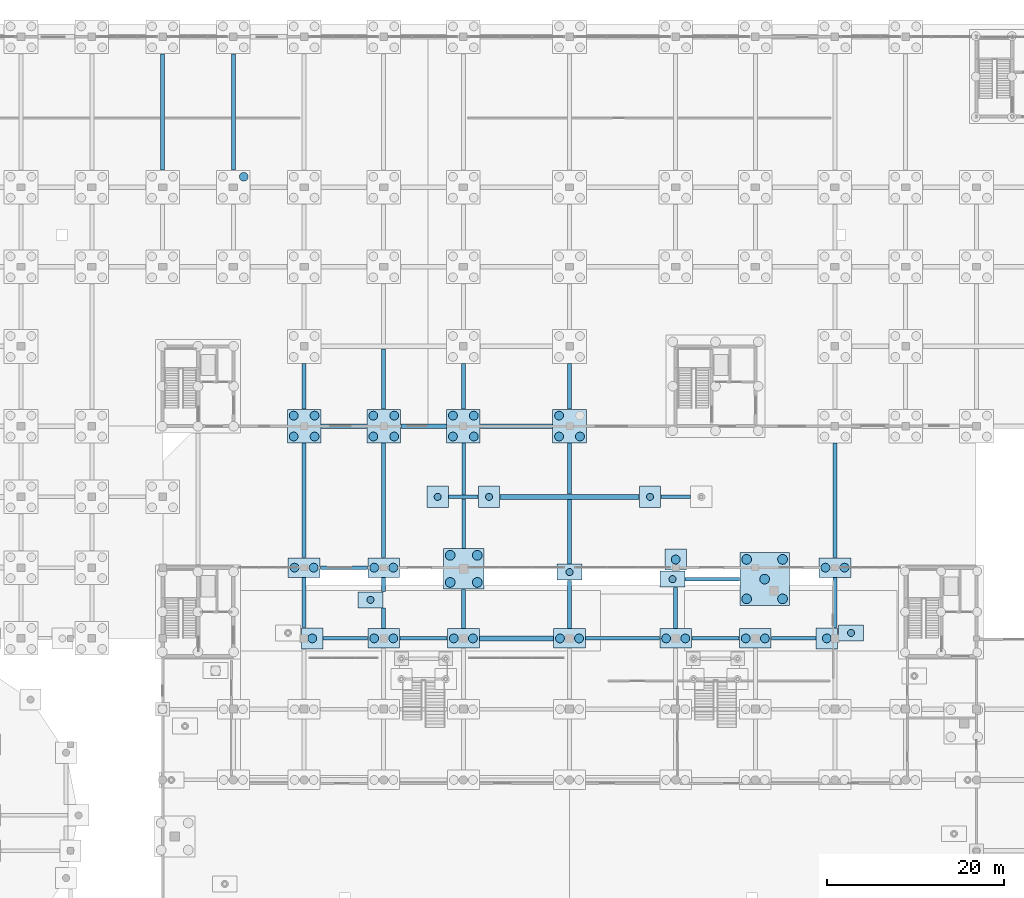
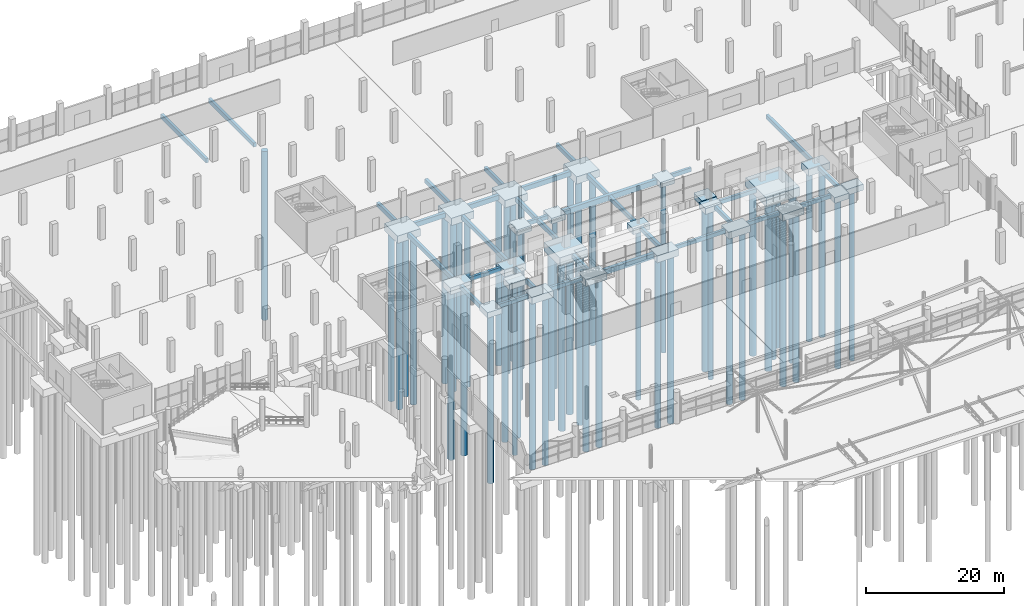
# One storey, part 5 of 98: 58 footings, 51 piles.
"""IFC4 building model written with IfcOpenShell, lengths in metres."""

from ifc_helpers import new_model, si_unit, derived_unit, direction, frame, origin, origin_2d, place, context, subcontext, project, spatial, rectangle, circle, extrude, material, layer, layer_set, material_profile, profile_set, type_object, element, save


model = new_model("IFC4")

# Units and contexts
model_context = context("Model", 3, precision=1e-05, world=origin(), true_north=direction((0.0, 1.0)))
body_context = subcontext(model_context, "Body", "Model", "MODEL_VIEW")
ifc_project = project(units=[si_unit("LENGTHUNIT", "METRE"), si_unit("AREAUNIT", "SQUARE_METRE"), si_unit("VOLUMEUNIT", "CUBIC_METRE"), si_unit("PLANEANGLEUNIT", "RADIAN"), si_unit("MASSUNIT", "GRAM", prefix="KILO"), si_unit("THERMODYNAMICTEMPERATUREUNIT", "KELVIN"), derived_unit("THERMALTRANSMITTANCEUNIT", [(si_unit("POWERUNIT", "WATT"), 1), (si_unit("AREAUNIT", "SQUARE_METRE"), -1), (si_unit("THERMODYNAMICTEMPERATUREUNIT", "KELVIN"), -1)])], contexts=[model_context])

# Site, building, storey
site_placement = place(None, origin())
site = spatial("IfcSite", under=ifc_project, at=site_placement, CompositionType="ELEMENT")
building_placement = place(site_placement, origin())
building = spatial("IfcBuilding", under=site, at=building_placement, Name="Haiyu Intermodal Mobility Hub", CompositionType="ELEMENT")
storey_placement = place(building_placement, origin())
storey = spatial("IfcBuildingStorey", under=building, at=storey_placement, Name="L00", CompositionType="ELEMENT", Elevation=0.0)

# Footings
ifc_material = material(Name="Concrete C40", Category="concrete")
ifc_layer_1 = layer(ifc_material, 1.5)
ifc_layer_set_1 = layer_set([ifc_layer_1], Name="Concrete C40")
footing_type_1 = type_object("IfcFootingType", Name="CAP-PC01", PredefinedType="PILE_CAP", material=ifc_layer_set_1)
footing_1_placement = place(storey_placement, frame((96.04296875, 87.85791015625, -2.39990234375), z_axis=(0.0, 0.0, 1.0), x_axis=(1.0, 0.0, 0.0)))
element("IfcFooting", 1, at=footing_1_placement, inside=storey, type_object=footing_type_1, Name="Pile Cap CAP-MP-03", PredefinedType="PILE_CAP", context=body_context, shape_type="SweptSolid", body=[
    extrude(rectangle(XDim=4.60009765625, YDim=4.60009765625, at=origin_2d()), origin(), (0.0, 0.0, 1.0), 1.5),
])
ifc_layer_2 = layer(ifc_material, 1.300048828125)
ifc_layer_set_2 = layer_set([ifc_layer_2], Name="Concrete C40")
footing_type_2 = type_object("IfcFootingType", Name="CAP-PC03", PredefinedType="PILE_CAP", material=ifc_layer_set_2)
for number, where, z_axis, x_axis, name in (
    (2, (78.0, 104.0, -2.2001953125), (0.0, 0.0, 1.0), (1.0, 0.0, 0.0), "Pile Cap CAP-V4-9M"),
    (3, (87.0, 104.0, -2.2001953125), (0.0, 0.0, 1.0), (1.0, 0.0, 0.0), "Pile Cap CAP-V4-10M"),
    (4, (96.0, 104.0, -2.2001953125), (0.0, 0.0, 1.0), (1.0, 0.0, 0.0), "Pile Cap CAP-V4-11M"),
    (5, (108.0, 104.0, -2.2001953125), (0.0, 0.0, 1.0), (1.0, 0.0, 0.0), "Pile Cap CAP-V4-12M"),
):
    element("IfcFooting", number, at=place(storey_placement, frame(where, z_axis=z_axis, x_axis=x_axis)), inside=storey, type_object=footing_type_2, Name=name, PredefinedType="PILE_CAP", context=body_context, shape_type="SweptSolid", body=[
        extrude(rectangle(XDim=3.800048828125, YDim=3.800048828125, at=origin_2d()), origin(), (0.0, 0.0, 1.0), 1.300048828125),
    ])
ifc_layer_3 = layer(ifc_material, 1.199951171875)
ifc_layer_set_3 = layer_set([ifc_layer_3], Name="Concrete C40")
footing_type_3 = type_object("IfcFootingType", Name="CAP-PC04", PredefinedType="PILE_CAP", material=ifc_layer_set_3)
for number, where, z_axis, x_axis, name in (
    (6, (78.0, 88.0, -2.10009765625), (0.0, 0.0, 1.0), (1.0, 0.0, 0.0), "Pile Cap CAP-V1-9K"),
    (7, (87.0, 80.0, -2.10009765625), (0.0, 0.0, 1.0), (1.0, 0.0, 0.0), "Pile Cap CAP-V1-10J"),
    (8, (87.0, 88.0, -2.10009765625), (0.0, 0.0, 1.0), (1.0, 0.0, 0.0), "Pile Cap CAP-V1-10K"),
    (9, (96.0, 80.0, -2.10009765625), (0.0, 0.0, 1.0), (1.0, 0.0, 0.0), "Pile Cap CAP-V1-11J"),
    (10, (108.0, 80.0, -2.10009765625), (0.0, 0.0, 1.0), (1.0, 0.0, 0.0), "Pile Cap CAP-V1-12J"),
    (11, (120.0, 80.0, -2.10009765625), (0.0, 0.0, 1.0), (1.0, 0.0, 0.0), "Pile Cap CAP-V1-13J"),
    (12, (129.0, 80.0, -2.10009765625), (0.0, 0.0, 1.0), (1.0, 0.0, 0.0), "Pile Cap CAP-V1-14J"),
    (13, (138.0, 88.0, -2.10009765625), (0.0, 0.0, 1.0), (1.0, 0.0, 0.0), "Pile Cap CAP-V1-15K"),
):
    element("IfcFooting", number, at=place(storey_placement, frame(where, z_axis=z_axis, x_axis=x_axis)), inside=storey, type_object=footing_type_3, Name=name, PredefinedType="PILE_CAP", context=body_context, shape_type="SweptSolid", body=[
        extrude(rectangle(XDim=3.60009765625, YDim=2.199951171875, at=origin_2d()), origin(), (0.0, 0.0, 1.0), 1.199951171875),
    ])
ifc_layer_4 = layer(ifc_material, 1.050048828125)
ifc_layer_set_4 = layer_set([ifc_layer_4], Name="Concrete C40")
footing_type_4 = type_object("IfcFootingType", Name="CAP-PC07", PredefinedType="PILE_CAP", material=ifc_layer_set_4)
for number, where, z_axis, x_axis, name in (
    (14, (139.820068359375, 80.616943359375, -1.9501953125), (0.0, 0.0, 1.0), (1.0, 0.0, 0.0), "Pile Cap CAP-RCOL-04"),
    (15, (119.64697265625, 86.698974609375, -1.9501953125), (0.0, 0.0, 1.0), (1.0, 0.0, 0.0), "Pile Cap CAP-RCOL-06"),
    (16, (108.0, 87.5, -1.9501953125), (0.0, 0.0, 1.0), (1.0, 0.0, 0.0), "Pile Cap CAP-RCOL-07"),
    (17, (85.5, 84.35205078125, -1.9501953125), (0.0, 0.0, 1.0), (1.0, 0.0, 0.0), "Pile Cap CAP-RCOL-09"),
):
    element("IfcFooting", number, at=place(storey_placement, frame(where, z_axis=z_axis, x_axis=x_axis)), inside=storey, type_object=footing_type_4, Name=name, PredefinedType="PILE_CAP", context=body_context, shape_type="SweptSolid", body=[
        extrude(rectangle(XDim=2.800048828125, YDim=1.800048828125, at=origin_2d()), origin(), (0.0, 0.0, 1.0), 1.050048828125),
    ])
ifc_layer_5 = layer(ifc_material, 1.0)
ifc_layer_set_5 = layer_set([ifc_layer_5], Name="Concrete C40")
footing_type_5 = type_object("IfcFootingType", Name="CAP-PC10", PredefinedType="PILE_CAP", material=ifc_layer_set_5)
for number, where, z_axis, x_axis, name in (
    (18, (78.919921875, 80.0, -1.89990234375), (0.0, 0.0, 1.0), (1.0, 0.0, 0.0), "Pile Cap CAP-V1-9J"),
    (19, (120.0, 88.919921875, -1.89990234375), (0.0, 0.0, 1.0), (1.0, 0.0, 0.0), "Pile Cap CAP-V1-13K"),
    (20, (137.080078125, 80.0, -1.89990234375), (0.0, 0.0, 1.0), (1.0, 0.0, 0.0), "Pile Cap CAP-V1-15J"),
    (21, (93.10009765625, 96.0, -1.89990234375), (0.0, 0.0, 1.0), (1.0, 0.0, 0.0), "Pile Cap CAP-BRG-BWW"),
    (22, (98.89990234375, 96.0, -1.89990234375), (0.0, 0.0, 1.0), (1.0, 0.0, 0.0), "Pile Cap CAP-BRG-BWE"),
    (23, (117.10009765625, 96.0, -1.89990234375), (0.0, 0.0, 1.0), (1.0, 0.0, 0.0), "Pile Cap CAP-BRG-BEW"),
):
    element("IfcFooting", number, at=place(storey_placement, frame(where, z_axis=z_axis, x_axis=x_axis)), inside=storey, type_object=footing_type_5, Name=name, PredefinedType="PILE_CAP", context=body_context, shape_type="SweptSolid", body=[
        extrude(rectangle(XDim=2.39990234375, YDim=2.39990234375, at=origin_2d()), origin(), (0.0, 0.0, 1.0), 1.0),
    ])
ifc_layer_6 = layer(ifc_material, 1.550048828125)
ifc_layer_set_6 = layer_set([ifc_layer_6], Name="Concrete C40")
footing_type_6 = type_object("IfcFootingType", Name="CAP-PC18", PredefinedType="PILE_CAP", material=ifc_layer_set_6)
footing_2_placement = place(storey_placement, frame((130.050048828125, 86.699951171875, -2.4501953125), z_axis=(0.0, 0.0, 1.0), x_axis=(1.0, 0.0, 0.0)))
element("IfcFooting", 24, at=footing_2_placement, inside=storey, type_object=footing_type_6, Name="Pile Cap CAP-MP-02", PredefinedType="PILE_CAP", context=body_context, shape_type="SweptSolid", body=[
    extrude(rectangle(XDim=5.60009765625, YDim=6.0, at=origin_2d()), origin(), (0.0, 0.0, 1.0), 1.550048828125),
])
ifc_material_profile_1 = material_profile(ifc_material, rectangle(XDim=0.5, YDim=0.85009765625, at=origin_2d()), Name="FB500x850")
ifc_profile_set_1 = profile_set([ifc_material_profile_1], Name="Concrete C40")
footing_type_7 = type_object("IfcFootingType", Name="FBM-FB01", PredefinedType="FOOTING_BEAM", material=ifc_profile_set_1)
for number, where, z_axis, x_axis, name in (
    (25, (79.929931640625, 104.0, -1.324951171875), (1.0, 0.0, 0.0), (0.0, 1.0, 0.0), "Foundation Tie Beam FBM-X-144"),
    (26, (88.929931640625, 104.0, -1.324951171875), (1.0, 0.0, 0.0), (0.0, 1.0, 0.0), "Foundation Tie Beam FBM-X-145"),
):
    element("IfcFooting", number, at=place(storey_placement, frame(where, z_axis=z_axis, x_axis=x_axis)), inside=storey, type_object=footing_type_7, Name=name, PredefinedType="FOOTING_BEAM", context=body_context, shape_type="SweptSolid", body=[
        extrude(rectangle(XDim=0.5, YDim=0.85009765625, at=origin_2d()), origin(), (0.0, 0.0, 1.0), 5.14013671875),
    ])
footing_3_placement = place(storey_placement, frame((97.929931640625, 104.0, -1.324951171875), z_axis=(1.0, 0.0, 0.0), x_axis=(0.0, 1.0, 0.0)))
element("IfcFooting", 27, at=footing_3_placement, inside=storey, type_object=footing_type_7, Name="Foundation Tie Beam FBM-X-146", PredefinedType="FOOTING_BEAM", context=body_context, shape_type="SweptSolid", body=[
    extrude(rectangle(XDim=0.5, YDim=0.85009765625, at=origin_2d()), origin(), (0.0, 0.0, 1.0), 8.14013671875),
])
ifc_material_profile_2 = material_profile(ifc_material, rectangle(XDim=0.449951171875, YDim=0.75, at=origin_2d()), Name="FB450x750")
ifc_profile_set_2 = profile_set([ifc_material_profile_2], Name="Concrete C40")
footing_type_8 = type_object("IfcFootingType", Name="FBM-FB02", PredefinedType="FOOTING_BEAM", material=ifc_profile_set_2)
for number, where, z_axis, x_axis, name in (
    (28, (62.0, 132.929931640625, -1.27490234375), (0.0, 1.0, 0.0), (-1.0, 0.0, 0.0), "Foundation Tie Beam FBM-Y-275"),
    (29, (70.0, 132.929931640625, -1.27490234375), (0.0, 1.0, 0.0), (-1.0, 0.0, 0.0), "Foundation Tie Beam FBM-Y-279"),
):
    element("IfcFooting", number, at=place(storey_placement, frame(where, z_axis=z_axis, x_axis=x_axis)), inside=storey, type_object=footing_type_8, Name=name, PredefinedType="FOOTING_BEAM", context=body_context, shape_type="SweptSolid", body=[
        extrude(rectangle(XDim=0.449951171875, YDim=0.75, at=origin_2d()), origin(), (0.0, 0.0, 1.0), 13.14013671875),
    ])
footing_4_placement = place(storey_placement, frame((78.0, 81.22998046875, -1.27490234375), z_axis=(0.0, 1.0, 0.0), x_axis=(-1.0, 0.0, 0.0)))
element("IfcFooting", 30, at=footing_4_placement, inside=storey, type_object=footing_type_8, Name="Foundation Tie Beam FBM-Y-284", PredefinedType="FOOTING_BEAM", context=body_context, shape_type="SweptSolid", body=[
    extrude(rectangle(XDim=0.449951171875, YDim=0.75, at=origin_2d()), origin(), (0.0, 0.0, 1.0), 5.64013671875),
])
footing_5_placement = place(storey_placement, frame((78.0, 89.1298828125, -1.27490234375), z_axis=(0.0, 1.0, 0.0), x_axis=(-1.0, 0.0, 0.0)))
element("IfcFooting", 31, at=footing_5_placement, inside=storey, type_object=footing_type_8, Name="Foundation Tie Beam FBM-Y-285", PredefinedType="FOOTING_BEAM", context=body_context, shape_type="SweptSolid", body=[
    extrude(rectangle(XDim=0.449951171875, YDim=0.75, at=origin_2d()), origin(), (0.0, 0.0, 1.0), 12.940185546875),
])
footing_6_placement = place(storey_placement, frame((78.0, 105.929931640625, -1.27490234375), z_axis=(0.0, 1.0, 0.0), x_axis=(-1.0, 0.0, 0.0)))
element("IfcFooting", 32, at=footing_6_placement, inside=storey, type_object=footing_type_8, Name="Foundation Tie Beam FBM-Y-286", PredefinedType="FOOTING_BEAM", context=body_context, shape_type="SweptSolid", body=[
    extrude(rectangle(XDim=0.449951171875, YDim=0.75, at=origin_2d()), origin(), (0.0, 0.0, 1.0), 5.14013671875),
])
footing_7_placement = place(storey_placement, frame((87.0, 81.1298828125, -1.27490234375), z_axis=(0.0, 1.0, 0.0), x_axis=(-1.0, 0.0, 0.0)))
element("IfcFooting", 33, at=footing_7_placement, inside=storey, type_object=footing_type_8, Name="Foundation Tie Beam FBM-Y-292", PredefinedType="FOOTING_BEAM", context=body_context, shape_type="SweptSolid", body=[
    extrude(rectangle(XDim=0.449951171875, YDim=0.75, at=origin_2d()), origin(), (0.0, 0.0, 1.0), 2.292236328125),
])
footing_8_placement = place(storey_placement, frame((87.0, 85.281982421875, -1.27490234375), z_axis=(0.0, 1.0, 0.0), x_axis=(-1.0, 0.0, 0.0)))
element("IfcFooting", 34, at=footing_8_placement, inside=storey, type_object=footing_type_8, Name="Foundation Tie Beam FBM-Y-293", PredefinedType="FOOTING_BEAM", context=body_context, shape_type="SweptSolid", body=[
    extrude(rectangle(XDim=0.449951171875, YDim=0.75, at=origin_2d()), origin(), (0.0, 0.0, 1.0), 1.588134765625),
])
footing_9_placement = place(storey_placement, frame((87.0, 89.1298828125, -1.27490234375), z_axis=(0.0, 1.0, 0.0), x_axis=(-1.0, 0.0, 0.0)))
element("IfcFooting", 35, at=footing_9_placement, inside=storey, type_object=footing_type_8, Name="Foundation Tie Beam FBM-Y-294", PredefinedType="FOOTING_BEAM", context=body_context, shape_type="SweptSolid", body=[
    extrude(rectangle(XDim=0.449951171875, YDim=0.75, at=origin_2d()), origin(), (0.0, 0.0, 1.0), 12.940185546875),
])
footing_10_placement = place(storey_placement, frame((87.0, 105.929931640625, -1.27490234375), z_axis=(0.0, 1.0, 0.0), x_axis=(-1.0, 0.0, 0.0)))
element("IfcFooting", 36, at=footing_10_placement, inside=storey, type_object=footing_type_8, Name="Foundation Tie Beam FBM-Y-295", PredefinedType="FOOTING_BEAM", context=body_context, shape_type="SweptSolid", body=[
    extrude(rectangle(XDim=0.449951171875, YDim=0.75, at=origin_2d()), origin(), (0.0, 0.0, 1.0), 6.7900390625),
])
footing_11_placement = place(storey_placement, frame((96.0, 81.1298828125, -1.27490234375), z_axis=(0.0, 1.0, 0.0), x_axis=(-1.0, 0.0, 0.0)))
element("IfcFooting", 37, at=footing_11_placement, inside=storey, type_object=footing_type_8, Name="Foundation Tie Beam FBM-Y-303", PredefinedType="FOOTING_BEAM", context=body_context, shape_type="SweptSolid", body=[
    extrude(rectangle(XDim=0.449951171875, YDim=0.75, at=origin_2d()), origin(), (0.0, 0.0, 1.0), 4.398193359375),
])
footing_12_placement = place(storey_placement, frame((96.04296875, 90.18798828125, -1.27490234375), z_axis=(0.0, 1.0, 0.0), x_axis=(-1.0, 0.0, 0.0)))
element("IfcFooting", 38, at=footing_12_placement, inside=storey, type_object=footing_type_8, Name="Foundation Tie Beam FBM-Y-304", PredefinedType="FOOTING_BEAM", context=body_context, shape_type="SweptSolid", body=[
    extrude(rectangle(XDim=0.449951171875, YDim=0.75, at=origin_2d()), origin(), (0.0, 0.0, 1.0), 5.58203125),
])
footing_13_placement = place(storey_placement, frame((96.04296875, 96.22998046875, -1.27490234375), z_axis=(0.0, 1.0, 0.0), x_axis=(-1.0, 0.0, 0.0)))
element("IfcFooting", 39, at=footing_13_placement, inside=storey, type_object=footing_type_8, Name="Foundation Tie Beam FBM-Y-305", PredefinedType="FOOTING_BEAM", context=body_context, shape_type="SweptSolid", body=[
    extrude(rectangle(XDim=0.449951171875, YDim=0.75, at=origin_2d()), origin(), (0.0, 0.0, 1.0), 5.840087890625),
])
footing_14_placement = place(storey_placement, frame((96.0, 105.929931640625, -1.27490234375), z_axis=(0.0, 1.0, 0.0), x_axis=(-1.0, 0.0, 0.0)))
element("IfcFooting", 40, at=footing_14_placement, inside=storey, type_object=footing_type_8, Name="Foundation Tie Beam FBM-Y-306", PredefinedType="FOOTING_BEAM", context=body_context, shape_type="SweptSolid", body=[
    extrude(rectangle(XDim=0.449951171875, YDim=0.75, at=origin_2d()), origin(), (0.0, 0.0, 1.0), 5.14013671875),
])
footing_15_placement = place(storey_placement, frame((108.0, 81.1298828125, -1.27490234375), z_axis=(0.0, 1.0, 0.0), x_axis=(-1.0, 0.0, 0.0)))
element("IfcFooting", 41, at=footing_15_placement, inside=storey, type_object=footing_type_8, Name="Foundation Tie Beam FBM-Y-312", PredefinedType="FOOTING_BEAM", context=body_context, shape_type="SweptSolid", body=[
    extrude(rectangle(XDim=0.449951171875, YDim=0.75, at=origin_2d()), origin(), (0.0, 0.0, 1.0), 5.440185546875),
])
footing_16_placement = place(storey_placement, frame((108.0, 88.429931640625, -1.27490234375), z_axis=(0.0, 1.0, 0.0), x_axis=(-1.0, 0.0, 0.0)))
element("IfcFooting", 42, at=footing_16_placement, inside=storey, type_object=footing_type_8, Name="Foundation Tie Beam FBM-Y-313", PredefinedType="FOOTING_BEAM", context=body_context, shape_type="SweptSolid", body=[
    extrude(rectangle(XDim=0.449951171875, YDim=0.75, at=origin_2d()), origin(), (0.0, 0.0, 1.0), 7.26513671875),
])
footing_17_placement = place(storey_placement, frame((108.0, 96.304931640625, -1.27490234375), z_axis=(0.0, 1.0, 0.0), x_axis=(-1.0, 0.0, 0.0)))
element("IfcFooting", 43, at=footing_17_placement, inside=storey, type_object=footing_type_8, Name="Foundation Tie Beam FBM-Y-314", PredefinedType="FOOTING_BEAM", context=body_context, shape_type="SweptSolid", body=[
    extrude(rectangle(XDim=0.449951171875, YDim=0.75, at=origin_2d()), origin(), (0.0, 0.0, 1.0), 5.76513671875),
])
footing_18_placement = place(storey_placement, frame((108.0, 105.929931640625, -1.27490234375), z_axis=(0.0, 1.0, 0.0), x_axis=(-1.0, 0.0, 0.0)))
element("IfcFooting", 44, at=footing_18_placement, inside=storey, type_object=footing_type_8, Name="Foundation Tie Beam FBM-Y-315", PredefinedType="FOOTING_BEAM", context=body_context, shape_type="SweptSolid", body=[
    extrude(rectangle(XDim=0.449951171875, YDim=0.75, at=origin_2d()), origin(), (0.0, 0.0, 1.0), 5.14013671875),
])
footing_19_placement = place(storey_placement, frame((120.0, 81.1298828125, -1.27490234375), z_axis=(0.0, 1.0, 0.0), x_axis=(-1.0, 0.0, 0.0)))
element("IfcFooting", 45, at=footing_19_placement, inside=storey, type_object=footing_type_8, Name="Foundation Tie Beam FBM-Y-323", PredefinedType="FOOTING_BEAM", context=body_context, shape_type="SweptSolid", body=[
    extrude(rectangle(XDim=0.449951171875, YDim=0.75, at=origin_2d()), origin(), (0.0, 0.0, 1.0), 4.63916015625),
])
footing_20_placement = place(storey_placement, frame((138.0, 81.22998046875, -1.27490234375), z_axis=(0.0, 1.0, 0.0), x_axis=(-1.0, 0.0, 0.0)))
element("IfcFooting", 46, at=footing_20_placement, inside=storey, type_object=footing_type_8, Name="Foundation Tie Beam FBM-Y-334", PredefinedType="FOOTING_BEAM", context=body_context, shape_type="SweptSolid", body=[
    extrude(rectangle(XDim=0.449951171875, YDim=0.75, at=origin_2d()), origin(), (0.0, 0.0, 1.0), 5.64013671875),
])
footing_21_placement = place(storey_placement, frame((138.0, 89.1298828125, -1.27490234375), z_axis=(0.0, 1.0, 0.0), x_axis=(-1.0, 0.0, 0.0)))
element("IfcFooting", 47, at=footing_21_placement, inside=storey, type_object=footing_type_8, Name="Foundation Tie Beam FBM-Y-335", PredefinedType="FOOTING_BEAM", context=body_context, shape_type="SweptSolid", body=[
    extrude(rectangle(XDim=0.449951171875, YDim=0.75, at=origin_2d()), origin(), (0.0, 0.0, 1.0), 12.940185546875),
])
ifc_material_profile_3 = material_profile(ifc_material, rectangle(XDim=0.39990234375, YDim=0.699951171875, at=origin_2d()), Name="FB400x700")
ifc_profile_set_3 = profile_set([ifc_material_profile_3], Name="Concrete C40")
footing_type_9 = type_object("IfcFootingType", Name="FBM-FB03", PredefinedType="FOOTING_BEAM", material=ifc_profile_set_3)
footing_22_placement = place(storey_placement, frame((80.14990234375, 80.0, -1.25), z_axis=(1.0, 0.0, 0.0), x_axis=(0.0, 1.0, 0.0)))
element("IfcFooting", 48, at=footing_22_placement, inside=storey, type_object=footing_type_9, Name="Foundation Tie Beam FBM-X-102", PredefinedType="FOOTING_BEAM", context=body_context, shape_type="SweptSolid", body=[
    extrude(rectangle(XDim=0.39990234375, YDim=0.699951171875, at=origin_2d()), origin(), (0.0, 0.0, 1.0), 5.02001953125),
])
footing_23_placement = place(storey_placement, frame((88.830078125, 80.0, -1.25), z_axis=(1.0, 0.0, 0.0), x_axis=(0.0, 1.0, 0.0)))
element("IfcFooting", 49, at=footing_23_placement, inside=storey, type_object=footing_type_9, Name="Foundation Tie Beam FBM-X-103", PredefinedType="FOOTING_BEAM", context=body_context, shape_type="SweptSolid", body=[
    extrude(rectangle(XDim=0.39990234375, YDim=0.699951171875, at=origin_2d()), origin(), (0.0, 0.0, 1.0), 5.33984375),
])
footing_24_placement = place(storey_placement, frame((109.830078125, 80.0, -1.25), z_axis=(1.0, 0.0, 0.0), x_axis=(0.0, 1.0, 0.0)))
element("IfcFooting", 50, at=footing_24_placement, inside=storey, type_object=footing_type_9, Name="Foundation Tie Beam FBM-X-105", PredefinedType="FOOTING_BEAM", context=body_context, shape_type="SweptSolid", body=[
    extrude(rectangle(XDim=0.39990234375, YDim=0.699951171875, at=origin_2d()), origin(), (0.0, 0.0, 1.0), 8.33984375),
])
footing_25_placement = place(storey_placement, frame((121.830078125, 80.0, -1.25), z_axis=(1.0, 0.0, 0.0), x_axis=(0.0, 1.0, 0.0)))
element("IfcFooting", 51, at=footing_25_placement, inside=storey, type_object=footing_type_9, Name="Foundation Tie Beam FBM-X-106", PredefinedType="FOOTING_BEAM", context=body_context, shape_type="SweptSolid", body=[
    extrude(rectangle(XDim=0.39990234375, YDim=0.699951171875, at=origin_2d()), origin(), (0.0, 0.0, 1.0), 5.33984375),
])
footing_26_placement = place(storey_placement, frame((130.830078125, 80.0, -1.25), z_axis=(1.0, 0.0, 0.0), x_axis=(0.0, 1.0, 0.0)))
element("IfcFooting", 52, at=footing_26_placement, inside=storey, type_object=footing_type_9, Name="Foundation Tie Beam FBM-X-107", PredefinedType="FOOTING_BEAM", context=body_context, shape_type="SweptSolid", body=[
    extrude(rectangle(XDim=0.39990234375, YDim=0.699951171875, at=origin_2d()), origin(), (0.0, 0.0, 1.0), 5.02001953125),
])
footing_27_placement = place(storey_placement, frame((121.076904296875, 86.698974609375, -1.25), z_axis=(1.0, 0.0, 0.0), x_axis=(0.0, 1.0, 0.0)))
element("IfcFooting", 53, at=footing_27_placement, inside=storey, type_object=footing_type_9, Name="Foundation Tie Beam FBM-X-114", PredefinedType="FOOTING_BEAM", context=body_context, shape_type="SweptSolid", body=[
    extrude(rectangle(XDim=0.39990234375, YDim=0.699951171875, at=origin_2d()), origin(), (0.0, 0.0, 1.0), 6.14306640625),
])
footing_28_placement = place(storey_placement, frame((79.830078125, 88.0, -1.25), z_axis=(1.0, 0.0, 0.0), x_axis=(0.0, 1.0, 0.0)))
element("IfcFooting", 54, at=footing_28_placement, inside=storey, type_object=footing_type_9, Name="Foundation Tie Beam FBM-X-118", PredefinedType="FOOTING_BEAM", context=body_context, shape_type="SweptSolid", body=[
    extrude(rectangle(XDim=0.39990234375, YDim=0.699951171875, at=origin_2d()), origin(), (0.0, 0.0, 1.0), 5.33984375),
])
for number, where, z_axis, x_axis, name in (
    (55, (94.330078125, 96.0, -1.25), (1.0, 0.0, 0.0), (0.0, 1.0, 0.0), "Foundation Tie Beam FBM-X-131"),
    (56, (118.330078125, 96.0, -1.25), (1.0, 0.0, 0.0), (0.0, 1.0, 0.0), "Foundation Tie Beam FBM-X-133"),
):
    element("IfcFooting", number, at=place(storey_placement, frame(where, z_axis=z_axis, x_axis=x_axis)), inside=storey, type_object=footing_type_9, Name=name, PredefinedType="FOOTING_BEAM", context=body_context, shape_type="SweptSolid", body=[
        extrude(rectangle(XDim=0.39990234375, YDim=0.699951171875, at=origin_2d()), origin(), (0.0, 0.0, 1.0), 3.33984375),
    ])
ifc_material_profile_4 = material_profile(ifc_material, rectangle(XDim=0.550048828125, YDim=0.949951171875, at=origin_2d()), Name="FB550x950")
ifc_profile_set_4 = profile_set([ifc_material_profile_4], Name="Concrete C40")
footing_type_10 = type_object("IfcFootingType", Name="FBM-FB04", PredefinedType="FOOTING_BEAM", material=ifc_profile_set_4)
footing_29_placement = place(storey_placement, frame((97.830078125, 80.0, -1.375), z_axis=(1.0, 0.0, 0.0), x_axis=(0.0, 1.0, 0.0)))
element("IfcFooting", 57, at=footing_29_placement, inside=storey, type_object=footing_type_10, Name="Foundation Tie Beam FBM-X-104", PredefinedType="FOOTING_BEAM", context=body_context, shape_type="SweptSolid", body=[
    extrude(rectangle(XDim=0.550048828125, YDim=0.949951171875, at=origin_2d()), origin(), (0.0, 0.0, 1.0), 8.33984375),
])
footing_30_placement = place(storey_placement, frame((100.1298828125, 96.0, -1.375), z_axis=(1.0, 0.0, 0.0), x_axis=(0.0, 1.0, 0.0)))
element("IfcFooting", 58, at=footing_30_placement, inside=storey, type_object=footing_type_10, Name="Foundation Tie Beam FBM-X-132", PredefinedType="FOOTING_BEAM", context=body_context, shape_type="SweptSolid", body=[
    extrude(rectangle(XDim=0.550048828125, YDim=0.949951171875, at=origin_2d()), origin(), (0.0, 0.0, 1.0), 15.740234375),
])

# Piles
ifc_material_profile_5 = material_profile(ifc_material, circle(Radius=0.550048828125, at=origin_2d()), Name="PILE-D1100")
ifc_profile_set_5 = profile_set([ifc_material_profile_5], Name="Concrete C40")
pile_type_1 = type_object("IfcPileType", Name="PILE-PL01", PredefinedType="BORED", material=ifc_profile_set_5)
for number, where, z_axis, x_axis, name in (
    (59, (128.02001953125, 84.469970703125, -2.35009765625), (0.0, 0.0, -1.0), (1.0, 0.0, 0.0), "Bored Pile CAP-MP-02-P1"),
    (60, (132.080078125, 84.469970703125, -2.35009765625), (0.0, 0.0, -1.0), (1.0, 0.0, 0.0), "Bored Pile CAP-MP-02-P2"),
    (61, (128.02001953125, 88.929931640625, -2.35009765625), (0.0, 0.0, -1.0), (1.0, 0.0, 0.0), "Bored Pile CAP-MP-02-P3"),
    (62, (132.080078125, 88.929931640625, -2.35009765625), (0.0, 0.0, -1.0), (1.0, 0.0, 0.0), "Bored Pile CAP-MP-02-P4"),
    (63, (130.050048828125, 86.699951171875, -2.35009765625), (0.0, 0.0, -1.0), (1.0, 0.0, 0.0), "Bored Pile CAP-MP-02-P5"),
):
    element("IfcPile", number, at=place(storey_placement, frame(where, z_axis=z_axis, x_axis=x_axis)), inside=storey, type_object=pile_type_1, Name=name, PredefinedType="BORED", context=body_context, shape_type="SweptSolid", body=[
        extrude(circle(Radius=0.550048828125, at=origin_2d()), origin(), (0.0, 0.0, 1.0), 29.64990234375),
    ])
for number, where, z_axis, x_axis, name in (
    (64, (94.512939453125, 86.327880859375, -2.300048828125), (0.0, 0.0, -1.0), (1.0, 0.0, 0.0), "Bored Pile CAP-MP-03-P1"),
    (65, (97.572998046875, 86.327880859375, -2.300048828125), (0.0, 0.0, -1.0), (1.0, 0.0, 0.0), "Bored Pile CAP-MP-03-P2"),
    (66, (94.512939453125, 89.387939453125, -2.300048828125), (0.0, 0.0, -1.0), (1.0, 0.0, 0.0), "Bored Pile CAP-MP-03-P3"),
    (67, (97.572998046875, 89.387939453125, -2.300048828125), (0.0, 0.0, -1.0), (1.0, 0.0, 0.0), "Bored Pile CAP-MP-03-P4"),
):
    element("IfcPile", number, at=place(storey_placement, frame(where, z_axis=z_axis, x_axis=x_axis)), inside=storey, type_object=pile_type_1, Name=name, PredefinedType="BORED", context=body_context, shape_type="SweptSolid", body=[
        extrude(circle(Radius=0.550048828125, at=origin_2d()), origin(), (0.0, 0.0, 1.0), 29.699951171875),
    ])
ifc_material_profile_6 = material_profile(ifc_material, circle(Radius=0.5, at=origin_2d()), Name="PILE-D1000")
ifc_profile_set_6 = profile_set([ifc_material_profile_6], Name="Concrete C40")
pile_type_2 = type_object("IfcPileType", Name="PILE-PL02", PredefinedType="BORED", material=ifc_profile_set_6)
for number, where, z_axis, x_axis, name in (
    (68, (71.179931640625, 132.179931640625, -2.10009765625), (0.0, 0.0, -1.0), (1.0, 0.0, 0.0), "Bored Pile CAP-V4-8Q-P4"),
    (69, (76.820068359375, 102.820068359375, -2.10009765625), (0.0, 0.0, -1.0), (1.0, 0.0, 0.0), "Bored Pile CAP-V4-9M-P1"),
    (70, (79.179931640625, 102.820068359375, -2.10009765625), (0.0, 0.0, -1.0), (1.0, 0.0, 0.0), "Bored Pile CAP-V4-9M-P2"),
    (71, (76.820068359375, 105.179931640625, -2.10009765625), (0.0, 0.0, -1.0), (1.0, 0.0, 0.0), "Bored Pile CAP-V4-9M-P3"),
    (72, (79.179931640625, 105.179931640625, -2.10009765625), (0.0, 0.0, -1.0), (1.0, 0.0, 0.0), "Bored Pile CAP-V4-9M-P4"),
    (73, (85.820068359375, 102.820068359375, -2.10009765625), (0.0, 0.0, -1.0), (1.0, 0.0, 0.0), "Bored Pile CAP-V4-10M-P1"),
    (74, (88.179931640625, 102.820068359375, -2.10009765625), (0.0, 0.0, -1.0), (1.0, 0.0, 0.0), "Bored Pile CAP-V4-10M-P2"),
    (75, (85.820068359375, 105.179931640625, -2.10009765625), (0.0, 0.0, -1.0), (1.0, 0.0, 0.0), "Bored Pile CAP-V4-10M-P3"),
    (76, (88.179931640625, 105.179931640625, -2.10009765625), (0.0, 0.0, -1.0), (1.0, 0.0, 0.0), "Bored Pile CAP-V4-10M-P4"),
    (77, (94.820068359375, 102.820068359375, -2.10009765625), (0.0, 0.0, -1.0), (1.0, 0.0, 0.0), "Bored Pile CAP-V4-11M-P1"),
    (78, (97.179931640625, 102.820068359375, -2.10009765625), (0.0, 0.0, -1.0), (1.0, 0.0, 0.0), "Bored Pile CAP-V4-11M-P2"),
    (79, (94.820068359375, 105.179931640625, -2.10009765625), (0.0, 0.0, -1.0), (1.0, 0.0, 0.0), "Bored Pile CAP-V4-11M-P3"),
    (80, (97.179931640625, 105.179931640625, -2.10009765625), (0.0, 0.0, -1.0), (1.0, 0.0, 0.0), "Bored Pile CAP-V4-11M-P4"),
    (81, (106.820068359375, 102.820068359375, -2.10009765625), (0.0, 0.0, -1.0), (1.0, 0.0, 0.0), "Bored Pile CAP-V4-12M-P1"),
    (82, (109.179931640625, 102.820068359375, -2.10009765625), (0.0, 0.0, -1.0), (1.0, 0.0, 0.0), "Bored Pile CAP-V4-12M-P2"),
    (83, (106.820068359375, 105.179931640625, -2.10009765625), (0.0, 0.0, -1.0), (1.0, 0.0, 0.0), "Bored Pile CAP-V4-12M-P3"),
):
    element("IfcPile", number, at=place(storey_placement, frame(where, z_axis=z_axis, x_axis=x_axis)), inside=storey, type_object=pile_type_2, Name=name, PredefinedType="BORED", context=body_context, shape_type="SweptSolid", body=[
        extrude(circle(Radius=0.5, at=origin_2d()), origin(), (0.0, 0.0, 1.0), 29.89990234375),
    ])
pile_1_placement = place(storey_placement, frame((78.919921875, 80.0, -1.800048828125), z_axis=(0.0, 0.0, -1.0), x_axis=(1.0, 0.0, 0.0)))
element("IfcPile", 84, at=pile_1_placement, inside=storey, type_object=pile_type_2, Name="Bored Pile CAP-V1-9J-P1", PredefinedType="BORED", context=body_context, shape_type="SweptSolid", body=[
    extrude(circle(Radius=0.5, at=origin_2d()), origin(), (0.0, 0.0, 1.0), 30.199951171875),
])
for number, where, z_axis, x_axis, name in (
    (85, (76.919921875, 88.0, -2.0), (0.0, 0.0, -1.0), (1.0, 0.0, 0.0), "Bored Pile CAP-V1-9K-P1"),
    (86, (79.080078125, 88.0, -2.0), (0.0, 0.0, -1.0), (1.0, 0.0, 0.0), "Bored Pile CAP-V1-9K-P2"),
    (87, (85.919921875, 80.0, -2.0), (0.0, 0.0, -1.0), (1.0, 0.0, 0.0), "Bored Pile CAP-V1-10J-P1"),
    (88, (88.080078125, 80.0, -2.0), (0.0, 0.0, -1.0), (1.0, 0.0, 0.0), "Bored Pile CAP-V1-10J-P2"),
    (89, (85.919921875, 88.0, -2.0), (0.0, 0.0, -1.0), (1.0, 0.0, 0.0), "Bored Pile CAP-V1-10K-P1"),
    (90, (88.080078125, 88.0, -2.0), (0.0, 0.0, -1.0), (1.0, 0.0, 0.0), "Bored Pile CAP-V1-10K-P2"),
    (91, (94.919921875, 80.0, -2.0), (0.0, 0.0, -1.0), (1.0, 0.0, 0.0), "Bored Pile CAP-V1-11J-P1"),
    (92, (97.080078125, 80.0, -2.0), (0.0, 0.0, -1.0), (1.0, 0.0, 0.0), "Bored Pile CAP-V1-11J-P2"),
    (93, (106.919921875, 80.0, -2.0), (0.0, 0.0, -1.0), (1.0, 0.0, 0.0), "Bored Pile CAP-V1-12J-P1"),
    (94, (109.080078125, 80.0, -2.0), (0.0, 0.0, -1.0), (1.0, 0.0, 0.0), "Bored Pile CAP-V1-12J-P2"),
    (95, (118.919921875, 80.0, -2.0), (0.0, 0.0, -1.0), (1.0, 0.0, 0.0), "Bored Pile CAP-V1-13J-P1"),
    (96, (121.080078125, 80.0, -2.0), (0.0, 0.0, -1.0), (1.0, 0.0, 0.0), "Bored Pile CAP-V1-13J-P2"),
):
    element("IfcPile", number, at=place(storey_placement, frame(where, z_axis=z_axis, x_axis=x_axis)), inside=storey, type_object=pile_type_2, Name=name, PredefinedType="BORED", context=body_context, shape_type="SweptSolid", body=[
        extrude(circle(Radius=0.5, at=origin_2d()), origin(), (0.0, 0.0, 1.0), 30.0),
    ])
pile_2_placement = place(storey_placement, frame((120.0, 88.919921875, -1.800048828125), z_axis=(0.0, 0.0, -1.0), x_axis=(1.0, 0.0, 0.0)))
element("IfcPile", 97, at=pile_2_placement, inside=storey, type_object=pile_type_2, Name="Bored Pile CAP-V1-13K-P1", PredefinedType="BORED", context=body_context, shape_type="SweptSolid", body=[
    extrude(circle(Radius=0.5, at=origin_2d()), origin(), (0.0, 0.0, 1.0), 30.199951171875),
])
for number, where, z_axis, x_axis, name in (
    (98, (127.919921875, 80.0, -2.0), (0.0, 0.0, -1.0), (1.0, 0.0, 0.0), "Bored Pile CAP-V1-14J-P1"),
    (99, (130.080078125, 80.0, -2.0), (0.0, 0.0, -1.0), (1.0, 0.0, 0.0), "Bored Pile CAP-V1-14J-P2"),
):
    element("IfcPile", number, at=place(storey_placement, frame(where, z_axis=z_axis, x_axis=x_axis)), inside=storey, type_object=pile_type_2, Name=name, PredefinedType="BORED", context=body_context, shape_type="SweptSolid", body=[
        extrude(circle(Radius=0.5, at=origin_2d()), origin(), (0.0, 0.0, 1.0), 30.0),
    ])
pile_3_placement = place(storey_placement, frame((137.080078125, 80.0, -1.800048828125), z_axis=(0.0, 0.0, -1.0), x_axis=(1.0, 0.0, 0.0)))
element("IfcPile", 100, at=pile_3_placement, inside=storey, type_object=pile_type_2, Name="Bored Pile CAP-V1-15J-P1", PredefinedType="BORED", context=body_context, shape_type="SweptSolid", body=[
    extrude(circle(Radius=0.5, at=origin_2d()), origin(), (0.0, 0.0, 1.0), 30.199951171875),
])
for number, where, z_axis, x_axis, name in (
    (101, (136.919921875, 88.0, -2.0), (0.0, 0.0, -1.0), (1.0, 0.0, 0.0), "Bored Pile CAP-V1-15K-P1"),
    (102, (139.080078125, 88.0, -2.0), (0.0, 0.0, -1.0), (1.0, 0.0, 0.0), "Bored Pile CAP-V1-15K-P2"),
):
    element("IfcPile", number, at=place(storey_placement, frame(where, z_axis=z_axis, x_axis=x_axis)), inside=storey, type_object=pile_type_2, Name=name, PredefinedType="BORED", context=body_context, shape_type="SweptSolid", body=[
        extrude(circle(Radius=0.5, at=origin_2d()), origin(), (0.0, 0.0, 1.0), 30.0),
    ])
ifc_material_profile_7 = material_profile(ifc_material, circle(Radius=0.39990234375, at=origin_2d()), Name="PILE-D800")
ifc_profile_set_7 = profile_set([ifc_material_profile_7], Name="Concrete C40")
pile_type_3 = type_object("IfcPileType", Name="PILE-PL04", PredefinedType="BORED", material=ifc_profile_set_7)
for number, where, z_axis, x_axis, name in (
    (103, (139.820068359375, 80.616943359375, -1.85009765625), (0.0, 0.0, -1.0), (1.0, 0.0, 0.0), "Bored Pile CAP-RCOL-04-P1"),
    (104, (119.64697265625, 86.698974609375, -1.85009765625), (0.0, 0.0, -1.0), (1.0, 0.0, 0.0), "Bored Pile CAP-RCOL-06-P1"),
    (105, (108.0, 87.5, -1.85009765625), (0.0, 0.0, -1.0), (1.0, 0.0, 0.0), "Bored Pile CAP-RCOL-07-P1"),
    (106, (85.5, 84.35205078125, -1.85009765625), (0.0, 0.0, -1.0), (1.0, 0.0, 0.0), "Bored Pile CAP-RCOL-09-P1"),
):
    element("IfcPile", number, at=place(storey_placement, frame(where, z_axis=z_axis, x_axis=x_axis)), inside=storey, type_object=pile_type_3, Name=name, PredefinedType="BORED", context=body_context, shape_type="SweptSolid", body=[
        extrude(circle(Radius=0.39990234375, at=origin_2d()), origin(), (0.0, 0.0, 1.0), 30.14990234375),
    ])
for number, where, z_axis, x_axis, name in (
    (107, (93.10009765625, 96.0, -1.800048828125), (0.0, 0.0, -1.0), (1.0, 0.0, 0.0), "Bored Pile CAP-BRG-BWW-P1"),
    (108, (98.89990234375, 96.0, -1.800048828125), (0.0, 0.0, -1.0), (1.0, 0.0, 0.0), "Bored Pile CAP-BRG-BWE-P1"),
    (109, (117.10009765625, 96.0, -1.800048828125), (0.0, 0.0, -1.0), (1.0, 0.0, 0.0), "Bored Pile CAP-BRG-BEW-P1"),
):
    element("IfcPile", number, at=place(storey_placement, frame(where, z_axis=z_axis, x_axis=x_axis)), inside=storey, type_object=pile_type_3, Name=name, PredefinedType="BORED", context=body_context, shape_type="SweptSolid", body=[
        extrude(circle(Radius=0.39990234375, at=origin_2d()), origin(), (0.0, 0.0, 1.0), 30.199951171875),
    ])

save(model, "model.ifc")
